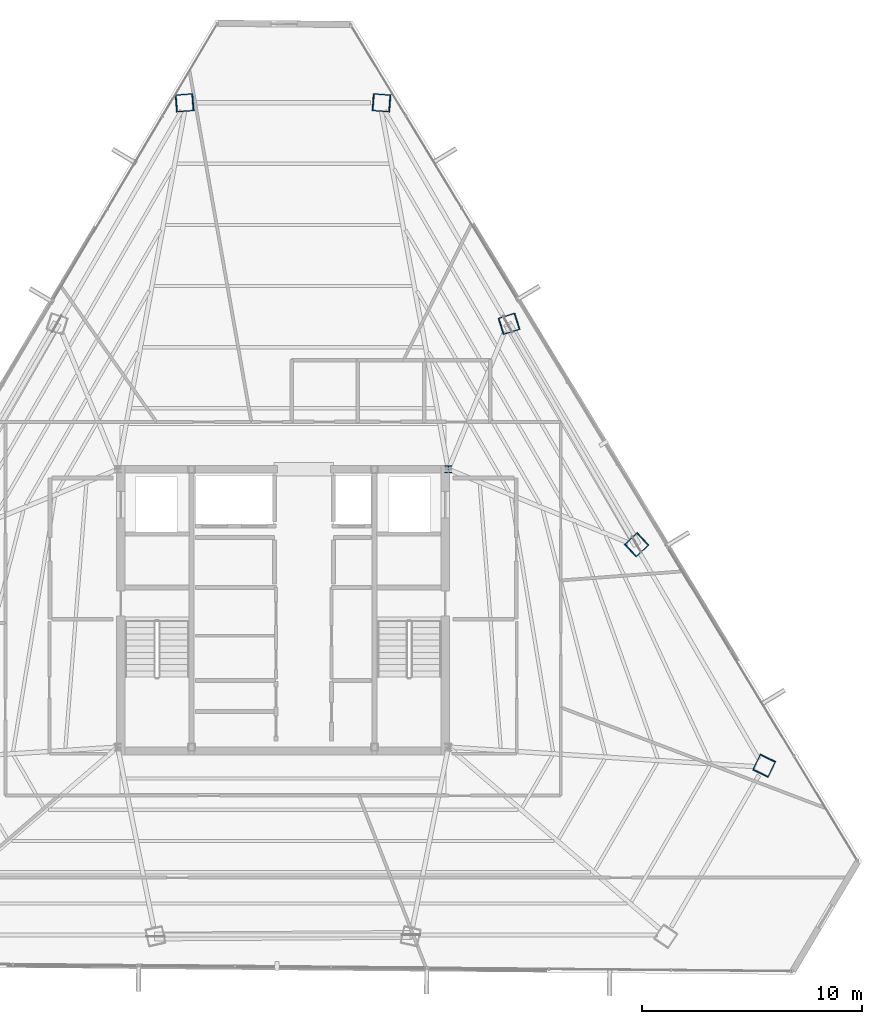
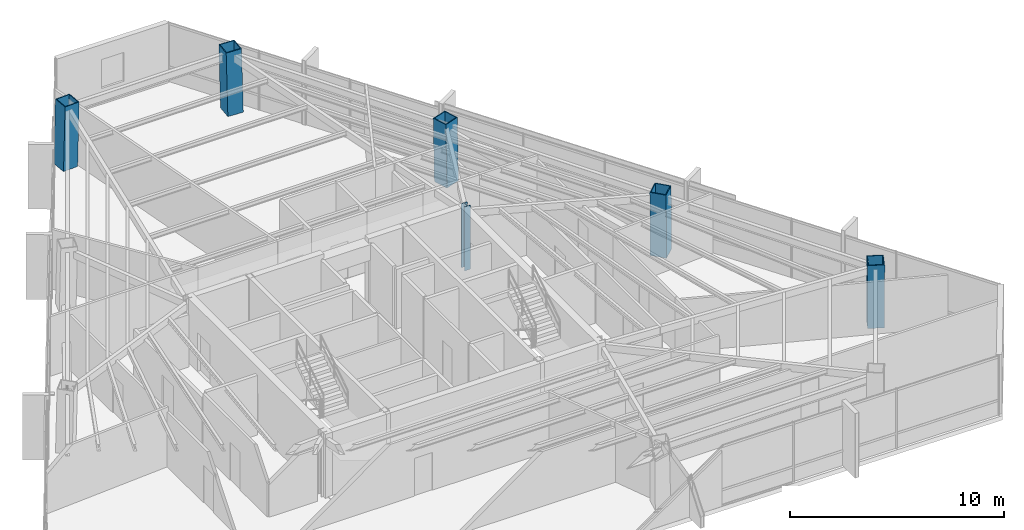
# One storey, part 2 of 47: 6 columns.
"""IFC4 building model written with IfcOpenShell, lengths in metres."""

import ifcopenshell
import ifcopenshell.guid

model = None  # the IFC model being written
_history = None  # IfcOwnerHistory: only IFC2X3 demands one
_inside = {}  # id of a spatial element -> (the spatial element, [elements in it])
_under = {}  # id of a project, library or spatial element -> (it, [spatial elements below it])
_declared = {}  # id of a project -> (the project, [libraries it declares])
_typed = {}  # id of a type object -> (the type object, [elements of that type])
_made_of = {}  # id of a material, layer set ... -> (it, [elements and type objects made of it])


def new_model(schema):
    """Start an empty IFC model of exactly this schema.

    Asked for "IFC4X3", IfcOpenShell would pick the latest addendum, in which some entities
    have other attributes; the version numbers below select the first issue.
    IFC2X3 requires an IfcOwnerHistory on every rooted entity: one is made here for all.
    """
    global model, _history
    if schema == "IFC4X3":
        model = ifcopenshell.file(schema_version=(4, 3, 0, 0))
    else:
        model = ifcopenshell.file(schema=schema)
    _inside.clear()
    _under.clear()
    _declared.clear()
    _typed.clear()
    _made_of.clear()
    _history = None
    if model.schema == "IFC2X3":
        org = make("IfcOrganization", Name="unknown")
        user = make(
            "IfcPersonAndOrganization",
            ThePerson=make("IfcPerson", FamilyName="unknown"),
            TheOrganization=org,
        )
        app = make(
            "IfcApplication",
            ApplicationDeveloper=org,
            Version="unknown",
            ApplicationFullName="unknown",
            ApplicationIdentifier="unknown",
        )
        _history = make(
            "IfcOwnerHistory",
            OwningUser=user,
            OwningApplication=app,
            ChangeAction="ADDED",
            CreationDate=0,
        )
    return model


def make(cls, **values):
    """One entity of the class cls with the attributes given. An attribute that is None is left unset."""
    return model.create_entity(
        cls, **{name: value for name, value in values.items() if value is not None}
    )


def rooted(cls, **values):
    """An entity with a GlobalId (a new one), such as an element, a storey or a relation."""
    return make(cls, GlobalId=ifcopenshell.guid.new(), OwnerHistory=_history, **values)


def si_unit(unit_type, name, prefix=None):
    """IfcSIUnit, for example si_unit("LENGTHUNIT", "METRE", prefix="MILLI")."""
    return make("IfcSIUnit", UnitType=unit_type, Prefix=prefix, Name=name)


def assignment(units):
    """IfcUnitAssignment: the units of a project."""
    return None if units is None else make("IfcUnitAssignment", Units=units)


def point(xyz):
    """IfcCartesianPoint."""
    return None if xyz is None else make("IfcCartesianPoint", Coordinates=xyz)


def direction(xyz):
    """IfcDirection."""
    return None if xyz is None else make("IfcDirection", DirectionRatios=xyz)


def frame(location, z_axis=None, x_axis=None):
    """IfcAxis2Placement3D, a coordinate frame: its origin and axes. An axis left out is left unset."""
    return make(
        "IfcAxis2Placement3D",
        Location=point(location),
        Axis=direction(z_axis),
        RefDirection=direction(x_axis),
    )


def frame_2d(location, x_axis=None):
    """IfcAxis2Placement2D, a coordinate frame in the plane: its origin and x axis."""
    return make(
        "IfcAxis2Placement2D", Location=point(location), RefDirection=direction(x_axis)
    )


def origin():
    """The frame at (0, 0, 0) with its axes left unset."""
    return frame((0.0, 0.0, 0.0))


def origin_2d():
    """The frame at (0, 0) in the plane with its x axis left unset."""
    return frame_2d((0.0, 0.0))


def place(relative_to, where):
    """IfcLocalPlacement: puts the frame where relative to a parent placement (None: the world)."""
    return make(
        "IfcLocalPlacement", PlacementRelTo=relative_to, RelativePlacement=where
    )


def context(
    kind, dimensions, precision=None, world=None, true_north=None, identifier=None
):
    """IfcGeometricRepresentationContext, for example the 3D "Model" context."""
    return make(
        "IfcGeometricRepresentationContext",
        ContextIdentifier=identifier,
        ContextType=kind,
        CoordinateSpaceDimension=dimensions,
        Precision=precision,
        WorldCoordinateSystem=world,
        TrueNorth=true_north,
    )


def subcontext(parent, identifier, kind, view, scale=None):
    """IfcGeometricRepresentationSubContext, for example "Body" below "Model"."""
    return make(
        "IfcGeometricRepresentationSubContext",
        ContextIdentifier=identifier,
        ContextType=kind,
        ParentContext=parent,
        TargetScale=scale,
        TargetView=view,
    )


def project(units=None, contexts=None):
    """IfcProject with its units and contexts."""
    return rooted(
        "IfcProject",
        Name="project",
        RepresentationContexts=contexts,
        UnitsInContext=assignment(units),
    )


def spatial(cls, under=None, at=None, **own):
    """A site, building, storey or space (cls), placed at a placement, below another one or the project."""
    s = rooted(cls, ObjectPlacement=at, **own)
    if under is not None:
        _under.setdefault(under.id(), (under, []))[1].append(s)
    return s


def profile(cls, at=None, kind="AREA", **sizes):
    """A parametric profile (cls). Its sizes go by their IFC names, for example OverallWidth=200.0."""
    return make(cls, ProfileType=kind, Position=at, **sizes)


def hollow_rectangle(**sizes):
    """IfcRectangleHollowProfileDef."""
    return profile("IfcRectangleHollowProfileDef", **sizes)


def i_section(**sizes):
    """IfcIShapeProfileDef."""
    return profile("IfcIShapeProfileDef", **sizes)


def extrude(swept, where, along, depth):
    """IfcExtrudedAreaSolid: the profile swept, set in the frame where, extruded along a direction by depth."""
    return make(
        "IfcExtrudedAreaSolid",
        SweptArea=swept,
        Position=where,
        ExtrudedDirection=direction(along),
        Depth=depth,
    )


def shape(context_of_items, identifier, shape_type, items):
    """IfcShapeRepresentation: the items that make up one representation, for example the "Body"."""
    return make(
        "IfcShapeRepresentation",
        ContextOfItems=context_of_items,
        RepresentationIdentifier=identifier,
        RepresentationType=shape_type,
        Items=items,
    )


def source(mapping_origin, context_of_items, identifier, shape_type, items):
    """IfcRepresentationMap: a shape defined once, which mapped items show again and again."""
    return make(
        "IfcRepresentationMap",
        MappingOrigin=mapping_origin,
        MappedRepresentation=shape(context_of_items, identifier, shape_type, items),
    )


def transform(
    local_origin,
    x_axis=None,
    y_axis=None,
    z_axis=None,
    scale=None,
    scale2=None,
    scale3=None,
    uniform=True,
):
    """IfcCartesianTransformationOperator3D, or its non-uniform kind. x_axis, y_axis, z_axis: its Axis1, 2, 3."""
    if uniform:
        return make(
            "IfcCartesianTransformationOperator3D",
            Axis1=direction(x_axis),
            Axis2=direction(y_axis),
            LocalOrigin=point(local_origin),
            Scale=scale,
            Axis3=direction(z_axis),
        )
    return make(
        "IfcCartesianTransformationOperator3DnonUniform",
        Axis1=direction(x_axis),
        Axis2=direction(y_axis),
        LocalOrigin=point(local_origin),
        Scale=scale,
        Axis3=direction(z_axis),
        Scale2=scale2,
        Scale3=scale3,
    )


def mapped(mapping_source, mapping_target):
    """IfcMappedItem: shows the shape of a source again, moved by a transform."""
    return make(
        "IfcMappedItem", MappingSource=mapping_source, MappingTarget=mapping_target
    )


def material(Name=None, Category=None):
    """IfcMaterial."""
    return make("IfcMaterial", Name=Name, Category=Category)


def material_profile(
    of_material, cross_section, Name=None, Category=None, Priority=None
):
    """IfcMaterialProfile: a cross section and its material."""
    return make(
        "IfcMaterialProfile",
        Name=Name,
        Material=of_material,
        Profile=cross_section,
        Priority=Priority,
        Category=Category,
    )


def profile_set(profiles, Name=None, composite=None):
    """IfcMaterialProfileSet."""
    return make(
        "IfcMaterialProfileSet",
        Name=Name,
        MaterialProfiles=profiles,
        CompositeProfile=composite,
    )


def made_of(thing, what):
    """Note that an element or type object is made of a material, layer set ...; save() writes the relation."""
    if what is not None:
        _made_of.setdefault(what.id(), (what, []))[1].append(thing)
    return thing


def type_object(cls, material=None, **own):
    """A type object (cls), such as IfcWallType, which elements share."""
    return made_of(rooted(cls, **own), material)


def type_shapes(of_type, sources):
    """Give a type object the sources (RepresentationMaps) that its elements show as mapped items."""
    of_type.RepresentationMaps = sources


def element(
    cls,
    number,
    at=None,
    inside=None,
    cuts=None,
    type_object=None,
    material=None,
    context=None,
    identifier="Body",
    shape_type=None,
    held_by="IfcProductDefinitionShape",
    body=None,
    shapes=None,
    **own,
):
    """One element of the class cls, such as IfcWall. Its Tag is "e" and its number.

    at: its placement. inside: the storey or other place that contains it. cuts: it is an
    opening in that element (IfcRelVoidsElement). A single representation is given by context,
    identifier, shape_type and body (its items); several are given by shapes. held_by: the class
    of the entity that holds the representations. save() writes the other relations.
    """
    e = rooted(cls, Tag="e%d" % number, ObjectPlacement=at, **own)
    if body is not None:
        shapes = [shape(context, identifier, shape_type, body)]
    if shapes is not None:
        e.Representation = make(held_by, Representations=shapes)
    if inside is not None:
        _inside.setdefault(inside.id(), (inside, []))[1].append(e)
    if cuts is not None:
        rooted(
            "IfcRelVoidsElement", RelatingBuildingElement=cuts, RelatedOpeningElement=e
        )
    if type_object is not None:
        _typed.setdefault(type_object.id(), (type_object, []))[1].append(e)
    return made_of(e, material)


def aggregate(whole, parts):
    """IfcRelAggregates: a whole, such as a stair, and the parts it consists of."""
    return rooted("IfcRelAggregates", RelatingObject=whole, RelatedObjects=parts)


def save(model, path):
    """Write the relations noted so far, then the file.

    IfcRelAggregates (storeys below a building ...), IfcRelContainedInSpatialStructure (elements
    in a storey), IfcRelDefinesByType, IfcRelAssociatesMaterial and IfcRelDeclares: one each for
    every whole, place, type object, material and project.
    """
    for whole, parts in _under.values():
        aggregate(whole, parts)
    for where, things in _inside.values():
        rooted(
            "IfcRelContainedInSpatialStructure",
            RelatedElements=things,
            RelatingStructure=where,
        )
    for kind, things in _typed.values():
        rooted("IfcRelDefinesByType", RelatedObjects=things, RelatingType=kind)
    for what, things in _made_of.values():
        rooted("IfcRelAssociatesMaterial", RelatedObjects=things, RelatingMaterial=what)
    for by, libraries in _declared.values():
        rooted("IfcRelDeclares", RelatingContext=by, RelatedDefinitions=libraries)
    model.write(path)


model = new_model("IFC4")

# Units and contexts
model_context = context("Model", 3, precision=1e-05, world=origin(), true_north=direction((0.0, 1.0)))
body_context = subcontext(model_context, "Body", "Model", "MODEL_VIEW")
ifc_project = project(units=[si_unit("LENGTHUNIT", "METRE"), si_unit("AREAUNIT", "SQUARE_METRE"), si_unit("VOLUMEUNIT", "CUBIC_METRE"), si_unit("PLANEANGLEUNIT", "RADIAN"), si_unit("MASSUNIT", "GRAM", prefix="KILO")], contexts=[model_context])

# Site, building, storey
site_placement = place(None, origin())
site = spatial("IfcSite", under=ifc_project, at=site_placement, CompositionType="ELEMENT")
building_placement = place(site_placement, origin())
building = spatial("IfcBuilding", under=site, at=building_placement, Name="Caelisora Broadcast Tower", CompositionType="ELEMENT")
storey_placement = place(building_placement, frame((0.0, 0.0, 229.85009765625)))
storey = spatial("IfcBuildingStorey", under=building, at=storey_placement, Name="L60", CompositionType="ELEMENT", Elevation=229.85009765625)

# Columns
ifc_material_1 = material(Name="Steel Grade 350 L15 (AS/NZS 3678)", Category="steel")
ifc_material_profile_1 = material_profile(ifc_material_1, hollow_rectangle(XDim=0.800048828125, YDim=0.800048828125, WallThickness=0.044921875, at=origin_2d()), Name="Steel Grade 350 L15 (AS/NZS 3678)")
ifc_profile_set_1 = profile_set([ifc_material_profile_1], Name="Steel Grade 350 L15 (AS/NZS 3678)")
column_type_1 = type_object("IfcColumnType", Name="MC05", PredefinedType="COLUMN", material=ifc_profile_set_1)
shared_shape_1 = source(origin(), body_context, "Body", "SweptSolid", [
    extrude(hollow_rectangle(XDim=0.800048828125, YDim=0.800048828125, WallThickness=0.044921875, at=origin_2d()), origin(), (0.0, 0.0, 1.0), 3.65087890625),
])
for number, where, z_axis, x_axis, name in (
    (1, (42.480224609375, 46.6279296875, 0.0), (-0.023872754168, 0.001805502416, 0.999713374808), (-0.075414875552, -0.997152243414, 0.0), "L60 column MC05"),
    (2, (33.519775390625, 46.6279296875, 0.0), (0.023872754168, 0.001805502416, 0.999713374808), (-0.075414875552, 0.997152243414, 0.0), "L60 column MC05"),
    (3, (59.83642578125, 16.56591796875, 0.0), (-0.010364932146, -0.021532310652, 0.999714423113), (0.901042175273, -0.433731481886, 0.0), "L60 column MC05"),
):
    element("IfcColumn", number, at=place(storey_placement, frame(where, z_axis=z_axis, x_axis=x_axis)), inside=storey, type_object=column_type_1, Name=name, PredefinedType="COLUMN", context=body_context, shape_type="MappedRepresentation", body=[
        mapped(shared_shape_1, transform((0.0, 0.0, 0.0), scale=1.0)),
    ])
shared_shape_2 = source(origin(), body_context, "Body", "SweptSolid", [
    extrude(hollow_rectangle(XDim=0.800048828125, YDim=0.800048828125, WallThickness=0.044921875, at=origin_2d()), origin(), (0.0, 0.0, 1.0), 3.650634765625),
])
type_shapes(column_type_1, [shared_shape_1, shared_shape_2])
for number, where, z_axis, x_axis, name in (
    (4, (54.051025390625, 26.586669921875, 0.0), (-0.014913313399, -0.013776424037, 0.999793880369), (0.678553674548, -0.734550822447, 0.0), "L60 column MC05"),
    (5, (48.265625, 36.607421875, 0.0), (-0.019393985636, -0.006085698941, 0.999793397452), (0.299398805134, -0.954128060317, 0.0), "L60 column MC05"),
):
    element("IfcColumn", number, at=place(storey_placement, frame(where, z_axis=z_axis, x_axis=x_axis)), inside=storey, type_object=column_type_1, Name=name, PredefinedType="COLUMN", context=body_context, shape_type="MappedRepresentation", body=[
        mapped(shared_shape_2, transform((0.0, 0.0, 0.0), scale=1.0)),
    ])
ifc_material_2 = material(Name="Steel Grade 350 (AS/NZS 3679.1)", Category="steel")
ifc_material_profile_2 = material_profile(ifc_material_2, i_section(OverallWidth=0.31103515625, OverallDepth=0.3271484375, WebThickness=0.015625, FlangeThickness=0.02490234375, at=origin_2d()), Name="Steel Grade 350 (AS/NZS 3679.1)")
ifc_profile_set_2 = profile_set([ifc_material_profile_2], Name="Steel Grade 350 (AS/NZS 3679.1)")
column_type_2 = type_object("IfcColumnType", Name="CC03", PredefinedType="COLUMN", material=ifc_profile_set_2)
shared_shape_3 = source(origin(), body_context, "Body", "SweptSolid", [
    extrude(i_section(OverallWidth=0.31103515625, OverallDepth=0.3271484375, WebThickness=0.015625, FlangeThickness=0.02490234375, at=origin_2d()), origin(), (0.0, 0.0, 1.0), 3.64990234375),
])
type_shapes(column_type_2, [shared_shape_3])
column_placement = place(storey_placement, frame((45.5, 30.0, 0.0), z_axis=(0.0, 0.0, 1.0), x_axis=(1.0, 0.0, 0.0)))
element("IfcColumn", 6, at=column_placement, inside=storey, type_object=column_type_2, Name="L60 column CC03", PredefinedType="COLUMN", context=body_context, shape_type="MappedRepresentation", body=[
    mapped(shared_shape_3, transform((0.0, 0.0, 0.0), scale=1.0)),
])

save(model, "model.ifc")
